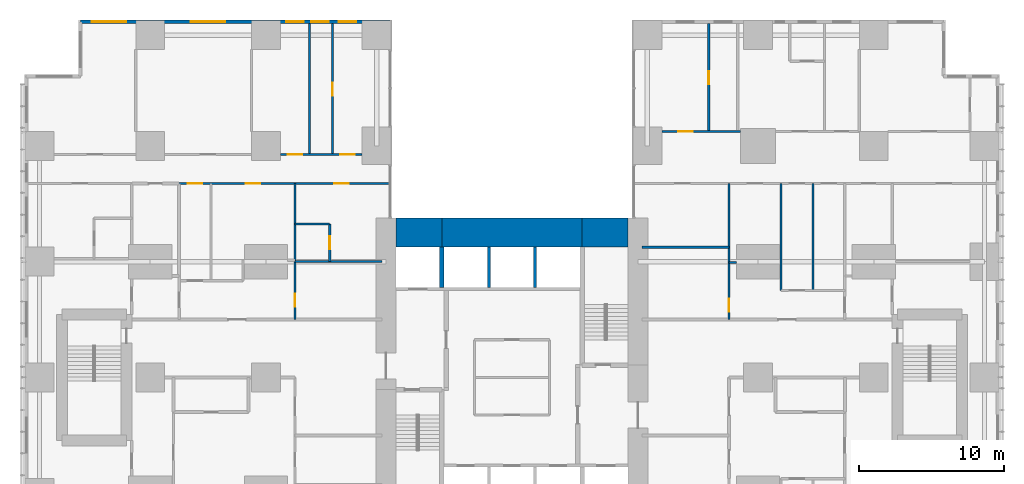
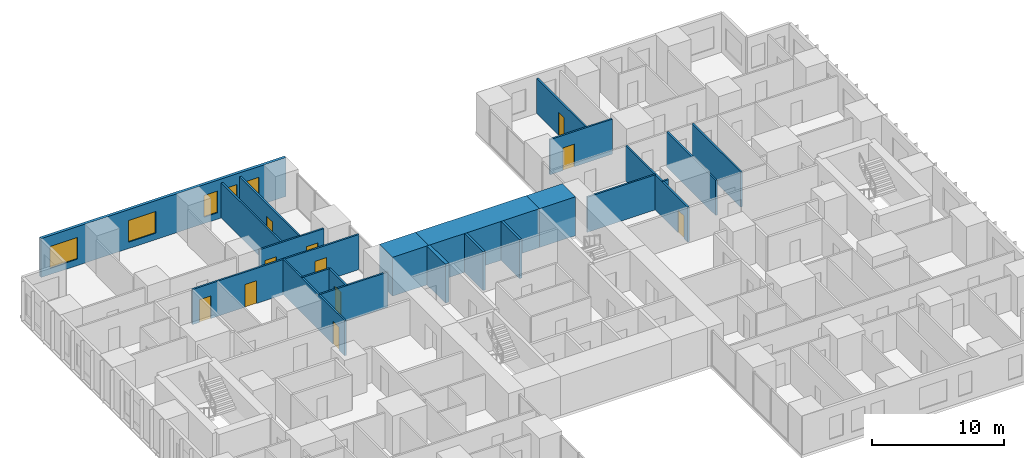
# One storey, part 17 of 20: 22 walls, 11 doors, 5 windows, 16 openings.
"""IFC4 building model written with IfcOpenShell, lengths in metres."""

from ifc_helpers import new_model, si_unit, direction, frame, frame_2d, origin, place, context, subcontext, project, spatial, rectangle, extrude, material, layer, layer_set, type_object, element, fill, save


model = new_model("IFC4")

# Units and contexts
model_context = context("Model", 3, precision=1e-05, world=origin(), true_north=direction((0.0, 1.0)))
body_context = subcontext(model_context, "Body", "Model", "MODEL_VIEW")
ifc_project = project(units=[si_unit("LENGTHUNIT", "METRE"), si_unit("AREAUNIT", "SQUARE_METRE"), si_unit("VOLUMEUNIT", "CUBIC_METRE"), si_unit("PLANEANGLEUNIT", "RADIAN"), si_unit("MASSUNIT", "GRAM", prefix="KILO")], contexts=[model_context])

# Site, building, storey
site_placement = place(None, origin())
site = spatial("IfcSite", under=ifc_project, at=site_placement, CompositionType="ELEMENT")
building_placement = place(site_placement, origin())
building = spatial("IfcBuilding", under=site, at=building_placement, Name="Cleftline Residences", CompositionType="ELEMENT")
storey_placement = place(building_placement, frame((0.0, 0.0, 87.199951171875)))
storey = spatial("IfcBuildingStorey", under=building, at=storey_placement, Name="L22", CompositionType="ELEMENT", Elevation=87.199951171875)

# Walls
ifc_material_1 = material(Name="Concrete B70", Category="concrete")
ifc_layer_1 = layer(ifc_material_1, 2.0)
ifc_layer_set_1 = layer_set([ifc_layer_1], Name="CORE WALL 2000")
wall_type_1 = type_object("IfcWallType", Name="CORE WALL 2000", PredefinedType="SHEAR", material=ifc_layer_set_1)
wall_1_placement = place(storey_placement, frame((25.0, 34.0, 0.0), z_axis=(0.0, 0.0, 1.0), x_axis=(1.0, 0.0, 0.0)))
element("IfcWall", 1, at=wall_1_placement, inside=storey, type_object=wall_type_1, Name="Core wall N1", PredefinedType="SHEAR", context=body_context, shape_type="SweptSolid", body=[
    extrude(rectangle(XDim=3.14990234375, YDim=2.0, at=frame_2d((1.574951171875, 0.0))), origin(), (0.0, 0.0, 1.0), 3.60009765625),
])
wall_2_placement = place(storey_placement, frame((28.14990234375, 34.0, 0.0), z_axis=(0.0, 0.0, 1.0), x_axis=(1.0, 0.0, 0.0)))
element("IfcWall", 2, at=wall_2_placement, inside=storey, type_object=wall_type_1, Name="Core wall N2", PredefinedType="SHEAR", context=body_context, shape_type="SweptSolid", body=[
    extrude(rectangle(XDim=9.7001953125, YDim=2.0, at=frame_2d((4.85009765625, 0.0))), origin(), (0.0, 0.0, 1.0), 3.60009765625),
])
wall_3_placement = place(storey_placement, frame((37.85009765625, 34.0, 0.0), z_axis=(0.0, 0.0, 1.0), x_axis=(1.0, 0.0, 0.0)))
element("IfcWall", 3, at=wall_3_placement, inside=storey, type_object=wall_type_1, Name="Core wall N3", PredefinedType="SHEAR", context=body_context, shape_type="SweptSolid", body=[
    extrude(rectangle(XDim=3.14990234375, YDim=2.0, at=frame_2d((1.574951171875, 0.0))), origin(), (0.0, 0.0, 1.0), 3.60009765625),
])
ifc_material_2 = material(Name="Concrete B70", Category="concrete")
ifc_layer_2 = layer(ifc_material_2, 0.300048828125)
ifc_layer_set_2 = layer_set([ifc_layer_2], Name="CORE WALL 300")
wall_type_2 = type_object("IfcWallType", Name="CORE WALL 300", PredefinedType="SHEAR", material=ifc_layer_set_2)
wall_4_placement = place(storey_placement, frame((28.14990234375, 30.199951171875, 0.0), z_axis=(0.0, 0.0, 1.0), x_axis=(0.0, 1.0, 0.0)))
element("IfcWall", 4, at=wall_4_placement, inside=storey, type_object=wall_type_2, Name="Lift shaft wall", PredefinedType="SHEAR", context=body_context, shape_type="SweptSolid", body=[
    extrude(rectangle(XDim=2.800048828125, YDim=0.300048828125, at=frame_2d((1.39990234375, 0.0))), origin(), (0.0, 0.0, 1.0), 3.60009765625),
])

# Wall, openings, windows
ifc_material_3 = material(Name="Rendered reinforced concrete blockwork", Category="masonry")
ifc_layer_3 = layer(ifc_material_3, 0.25)
ifc_layer_set_3 = layer_set([ifc_layer_3], Name="EXTERNAL WALL 250")
wall_type_3 = type_object("IfcWallType", Name="EXTERNAL WALL 250", PredefinedType="SOLIDWALL", material=ifc_layer_set_3)
wall_5_placement = place(storey_placement, frame((24.574951171875, 48.574951171875, 0.0), z_axis=(0.0, 0.0, 1.0), x_axis=(-1.0, 0.0, 0.0)))
wall_5 = element("IfcWall", 5, at=wall_5_placement, inside=storey, type_object=wall_type_3, Name="External wall", PredefinedType="SOLIDWALL", context=body_context, shape_type="SweptSolid", body=[
    extrude(rectangle(XDim=21.39990234375, YDim=0.25, at=frame_2d((10.699951171875, 0.0))), origin(), (0.0, 0.0, 1.0), 3.60009765625),
])
opening_1_placement = place(wall_5_placement, frame((2.35009765625, 0.0, 0.60009765625)))
opening_1 = element("IfcOpeningElement", 6, at=opening_1_placement, cuts=wall_5, Name="Opening W8", PredefinedType="OPENING", context=body_context, shape_type="SweptSolid", body=[
    extrude(rectangle(XDim=1.199951171875, YDim=2.0, at=frame_2d((0.60009765625, 1.0))), frame((0.0, 0.135009765625, 0.0), z_axis=(0.0, -1.0, 0.0), x_axis=(1.0, 0.0, 0.0)), (0.0, 0.0, 1.0), 0.27001953125),
])
opening_2_placement = place(wall_5_placement, frame((4.25, 0.0, 0.60009765625)))
opening_2 = element("IfcOpeningElement", 7, at=opening_2_placement, cuts=wall_5, Name="Opening W8", PredefinedType="OPENING", context=body_context, shape_type="SweptSolid", body=[
    extrude(rectangle(XDim=1.199951171875, YDim=2.0, at=frame_2d((0.60009765625, 1.0))), frame((0.0, 0.135009765625, 0.0), z_axis=(0.0, -1.0, 0.0), x_axis=(1.0, 0.0, 0.0)), (0.0, 0.0, 1.0), 0.27001953125),
])
opening_3_placement = place(wall_5_placement, frame((5.97509765625, 0.0, 0.60009765625)))
opening_3 = element("IfcOpeningElement", 8, at=opening_3_placement, cuts=wall_5, Name="Opening W8", PredefinedType="OPENING", context=body_context, shape_type="SweptSolid", body=[
    extrude(rectangle(XDim=1.199951171875, YDim=2.0, at=frame_2d((0.60009765625, 1.0))), frame((0.0, 0.135009765625, 0.0), z_axis=(0.0, -1.0, 0.0), x_axis=(1.0, 0.0, 0.0)), (0.0, 0.0, 1.0), 0.27001953125),
])
opening_4_placement = place(wall_5_placement, frame((11.375, 0.0, 0.60009765625)))
opening_4 = element("IfcOpeningElement", 9, at=opening_4_placement, cuts=wall_5, Name="Opening W6", PredefinedType="OPENING", context=body_context, shape_type="SweptSolid", body=[
    extrude(rectangle(XDim=2.39990234375, YDim=2.0, at=frame_2d((1.199951171875, 1.0))), frame((0.0, 0.135009765625, 0.0), z_axis=(0.0, -1.0, 0.0), x_axis=(1.0, 0.0, 0.0)), (0.0, 0.0, 1.0), 0.27001953125),
])
opening_5_placement = place(wall_5_placement, frame((18.22509765625, 0.0, 0.60009765625)))
opening_5 = element("IfcOpeningElement", 10, at=opening_5_placement, cuts=wall_5, Name="Opening W6", PredefinedType="OPENING", context=body_context, shape_type="SweptSolid", body=[
    extrude(rectangle(XDim=2.39990234375, YDim=2.0, at=frame_2d((1.199951171875, 1.0))), frame((0.0, 0.135009765625, 0.0), z_axis=(0.0, -1.0, 0.0), x_axis=(1.0, 0.0, 0.0)), (0.0, 0.0, 1.0), 0.27001953125),
])
ifc_material_4 = material(Name="Aluminium frame, clear double glazing", Category="aluminium")
window_type_1 = type_object("IfcWindowType", Name="WINDOW 1200X2000", PartitioningType="DOUBLE_PANEL_VERTICAL", PredefinedType="WINDOW", material=ifc_material_4)
window_1_placement = place(opening_1_placement, origin())
window_1 = element("IfcWindow", 11, at=window_1_placement, inside=storey, type_object=window_type_1, Name="Window", OverallHeight=2.0, OverallWidth=1.199951171875, PartitioningType="SINGLE_PANEL", PredefinedType="WINDOW", context=body_context, shape_type="SweptSolid", body=[
    extrude(rectangle(XDim=1.199951171875, YDim=2.0, at=frame_2d((0.60009765625, 1.0))), frame((0.0, 0.030029296875, 0.0), z_axis=(0.0, -1.0, 0.0), x_axis=(1.0, 0.0, 0.0)), (0.0, 0.0, 1.0), 0.06005859375),
])
fill(opening_1, window_1)
window_2_placement = place(opening_2_placement, origin())
window_2 = element("IfcWindow", 12, at=window_2_placement, inside=storey, type_object=window_type_1, Name="Window", OverallHeight=2.0, OverallWidth=1.199951171875, PartitioningType="SINGLE_PANEL", PredefinedType="WINDOW", context=body_context, shape_type="SweptSolid", body=[
    extrude(rectangle(XDim=1.199951171875, YDim=2.0, at=frame_2d((0.60009765625, 1.0))), frame((0.0, 0.030029296875, 0.0), z_axis=(0.0, -1.0, 0.0), x_axis=(1.0, 0.0, 0.0)), (0.0, 0.0, 1.0), 0.06005859375),
])
fill(opening_2, window_2)
window_3_placement = place(opening_3_placement, origin())
window_3 = element("IfcWindow", 13, at=window_3_placement, inside=storey, type_object=window_type_1, Name="Window", OverallHeight=2.0, OverallWidth=1.199951171875, PartitioningType="SINGLE_PANEL", PredefinedType="WINDOW", context=body_context, shape_type="SweptSolid", body=[
    extrude(rectangle(XDim=1.199951171875, YDim=2.0, at=frame_2d((0.60009765625, 1.0))), frame((0.0, 0.030029296875, 0.0), z_axis=(0.0, -1.0, 0.0), x_axis=(1.0, 0.0, 0.0)), (0.0, 0.0, 1.0), 0.06005859375),
])
fill(opening_3, window_3)
ifc_material_5 = material(Name="Aluminium frame, clear double glazing", Category="aluminium")
window_type_2 = type_object("IfcWindowType", Name="WINDOW 2400X2000", PartitioningType="DOUBLE_PANEL_VERTICAL", PredefinedType="WINDOW", material=ifc_material_5)
window_4_placement = place(opening_4_placement, origin())
window_4 = element("IfcWindow", 14, at=window_4_placement, inside=storey, type_object=window_type_2, Name="Window", OverallHeight=2.0, OverallWidth=2.39990234375, PartitioningType="SINGLE_PANEL", PredefinedType="WINDOW", context=body_context, shape_type="SweptSolid", body=[
    extrude(rectangle(XDim=2.39990234375, YDim=2.0, at=frame_2d((1.199951171875, 1.0))), frame((0.0, 0.030029296875, 0.0), z_axis=(0.0, -1.0, 0.0), x_axis=(1.0, 0.0, 0.0)), (0.0, 0.0, 1.0), 0.06005859375),
])
fill(opening_4, window_4)
window_5_placement = place(opening_5_placement, origin())
window_5 = element("IfcWindow", 15, at=window_5_placement, inside=storey, type_object=window_type_2, Name="Window", OverallHeight=2.0, OverallWidth=2.39990234375, PartitioningType="SINGLE_PANEL", PredefinedType="WINDOW", context=body_context, shape_type="SweptSolid", body=[
    extrude(rectangle(XDim=2.39990234375, YDim=2.0, at=frame_2d((1.199951171875, 1.0))), frame((0.0, 0.030029296875, 0.0), z_axis=(0.0, -1.0, 0.0), x_axis=(1.0, 0.0, 0.0)), (0.0, 0.0, 1.0), 0.06005859375),
])
fill(opening_5, window_5)

# Walls
ifc_material_6 = material(Name="Gypsum board on steel studs", Category="steel")
ifc_layer_4 = layer(ifc_material_6, 0.14990234375)
ifc_layer_set_4 = layer_set([ifc_layer_4], Name="PARTITION 150")
wall_type_4 = type_object("IfcWallType", Name="PARTITION 150", PredefinedType="PARTITIONING", material=ifc_layer_set_4)
wall_6_placement = place(storey_placement, frame((48.0, 31.949951171875, 0.0), z_axis=(0.0, 0.0, 1.0), x_axis=(1.0, 0.0, 0.0)))
element("IfcWall", 16, at=wall_6_placement, inside=storey, type_object=wall_type_4, Name="Partition", PredefinedType="PARTITIONING", context=body_context, shape_type="SweptSolid", body=[
    extrude(rectangle(XDim=0.5, YDim=0.14990234375, at=frame_2d((0.25, 0.0))), origin(), (0.0, 0.0, 1.0), 3.25),
])
for number, where, z_axis, x_axis, name in (
    (17, (18.0, 32.0, 0.0), (0.0, 0.0, 1.0), (1.0, 0.0, 0.0), "Partition"),
    (18, (42.0, 33.0, 0.0), (0.0, 0.0, 1.0), (1.0, 0.0, 0.0), "Partition"),
):
    element("IfcWall", number, at=place(storey_placement, frame(where, z_axis=z_axis, x_axis=x_axis)), inside=storey, type_object=wall_type_4, Name=name, PredefinedType="PARTITIONING", context=body_context, shape_type="SweptSolid", body=[
        extrude(rectangle(XDim=6.0, YDim=0.14990234375, at=frame_2d((3.0, 0.0))), origin(), (0.0, 0.0, 1.0), 3.25),
    ])
wall_7_placement = place(storey_placement, frame((18.0, 34.60009765625, 0.0), z_axis=(0.0, 0.0, 1.0), x_axis=(1.0, 0.0, 0.0)))
element("IfcWall", 19, at=wall_7_placement, inside=storey, type_object=wall_type_4, Name="Partition", PredefinedType="PARTITIONING", context=body_context, shape_type="SweptSolid", body=[
    extrude(rectangle(XDim=2.39990234375, YDim=0.14990234375, at=frame_2d((1.199951171875, 0.0))), origin(), (0.0, 0.0, 1.0), 3.25),
])

# Wall, openings, doors
wall_8_placement = place(storey_placement, frame((10.0, 37.39990234375, 0.0), z_axis=(0.0, 0.0, 1.0), x_axis=(1.0, 0.0, 0.0)))
wall_8 = element("IfcWall", 20, at=wall_8_placement, inside=storey, type_object=wall_type_4, Name="Partition", PredefinedType="PARTITIONING", context=body_context, shape_type="SweptSolid", body=[
    extrude(rectangle(XDim=14.56103515625, YDim=0.14990234375, at=frame_2d((7.280517578125, 0.0))), origin(), (0.0, 0.0, 1.0), 3.25),
])
opening_6_placement = place(wall_8_placement, frame((0.60009765625, 0.0, 0.0)))
opening_6 = element("IfcOpeningElement", 21, at=opening_6_placement, cuts=wall_8, Name="Opening D2F30", PredefinedType="OPENING", context=body_context, shape_type="SweptSolid", body=[
    extrude(rectangle(XDim=1.0, YDim=2.10009765625, at=frame_2d((0.5, 1.050048828125))), frame((0.0, 0.0849609375, 0.0), z_axis=(0.0, -1.0, 0.0), x_axis=(1.0, 0.0, 0.0)), (0.0, 0.0, 1.0), 0.169921875),
])
opening_7_placement = place(wall_8_placement, frame((4.60009765625, 0.0, 0.0)))
opening_7 = element("IfcOpeningElement", 22, at=opening_7_placement, cuts=wall_8, Name="Opening D2F30", PredefinedType="OPENING", context=body_context, shape_type="SweptSolid", body=[
    extrude(rectangle(XDim=1.0, YDim=2.10009765625, at=frame_2d((0.5, 1.050048828125))), frame((0.0, 0.0849609375, 0.0), z_axis=(0.0, -1.0, 0.0), x_axis=(1.0, 0.0, 0.0)), (0.0, 0.0, 1.0), 0.169921875),
])
opening_8_placement = place(wall_8_placement, frame((10.72509765625, 0.0, 0.0)))
opening_8 = element("IfcOpeningElement", 23, at=opening_8_placement, cuts=wall_8, Name="Opening D2F30", PredefinedType="OPENING", context=body_context, shape_type="SweptSolid", body=[
    extrude(rectangle(XDim=1.0, YDim=2.10009765625, at=frame_2d((0.5, 1.050048828125))), frame((0.0, 0.0849609375, 0.0), z_axis=(0.0, -1.0, 0.0), x_axis=(1.0, 0.0, 0.0)), (0.0, 0.0, 1.0), 0.169921875),
])
ifc_material_7 = material(Name="Timber veneer on solid core", Category="wood")
door_type_1 = type_object("IfcDoorType", Name="DOOR 1000X2100 EI 30", OperationType="SINGLE_SWING_LEFT", PredefinedType="DOOR", material=ifc_material_7)
door_1_placement = place(opening_6_placement, origin())
door_1 = element("IfcDoor", 24, at=door_1_placement, inside=storey, type_object=door_type_1, Name="Door to residence hall (gallery)", OperationType="SINGLE_SWING_RIGHT", OverallHeight=2.10009765625, OverallWidth=1.0, PredefinedType="DOOR", context=body_context, shape_type="SweptSolid", body=[
    extrude(rectangle(XDim=1.0, YDim=2.10009765625, at=frame_2d((0.5, 1.050048828125))), frame((0.0, 0.02490234375, 0.0), z_axis=(0.0, -1.0, 0.0), x_axis=(1.0, 0.0, 0.0)), (0.0, 0.0, 1.0), 0.050048828125),
])
fill(opening_6, door_1)
door_2_placement = place(opening_7_placement, origin())
door_2 = element("IfcDoor", 25, at=door_2_placement, inside=storey, type_object=door_type_1, Name="Door to study", OperationType="SINGLE_SWING_RIGHT", OverallHeight=2.10009765625, OverallWidth=1.0, PredefinedType="DOOR", context=body_context, shape_type="SweptSolid", body=[
    extrude(rectangle(XDim=1.0, YDim=2.10009765625, at=frame_2d((0.5, 1.050048828125))), frame((0.0, 0.02490234375, 0.0), z_axis=(0.0, -1.0, 0.0), x_axis=(1.0, 0.0, 0.0)), (0.0, 0.0, 1.0), 0.050048828125),
])
fill(opening_7, door_2)
door_3_placement = place(opening_8_placement, origin())
door_3 = element("IfcDoor", 26, at=door_3_placement, inside=storey, type_object=door_type_1, Name="Door to bedroom 2", OperationType="SINGLE_SWING_LEFT", OverallHeight=2.10009765625, OverallWidth=1.0, PredefinedType="DOOR", context=body_context, shape_type="SweptSolid", body=[
    extrude(rectangle(XDim=1.0, YDim=2.10009765625, at=frame_2d((0.5, 1.050048828125))), frame((0.0, 0.02490234375, 0.0), z_axis=(0.0, -1.0, 0.0), x_axis=(1.0, 0.0, 0.0)), (0.0, 0.0, 1.0), 0.050048828125),
])
fill(opening_8, door_3)

wall_9_placement = place(storey_placement, frame((17.0, 39.39990234375, 0.0), z_axis=(0.0, 0.0, 1.0), x_axis=(1.0, 0.0, 0.0)))
wall_9 = element("IfcWall", 27, at=wall_9_placement, inside=storey, type_object=wall_type_4, Name="Partition", PredefinedType="PARTITIONING", context=body_context, shape_type="SweptSolid", body=[
    extrude(rectangle(XDim=5.64990234375, YDim=0.14990234375, at=frame_2d((2.824951171875, 0.0))), origin(), (0.0, 0.0, 1.0), 3.25),
])
opening_9_placement = place(wall_9_placement, frame((0.5, 0.0, 0.0)))
opening_9 = element("IfcOpeningElement", 28, at=opening_9_placement, cuts=wall_9, Name="Opening D2", PredefinedType="OPENING", context=body_context, shape_type="SweptSolid", body=[
    extrude(rectangle(XDim=1.0, YDim=2.10009765625, at=frame_2d((0.5, 1.050048828125))), frame((0.0, 0.0849609375, 0.0), z_axis=(0.0, -1.0, 0.0), x_axis=(1.0, 0.0, 0.0)), (0.0, 0.0, 1.0), 0.169921875),
])
opening_10_placement = place(wall_9_placement, frame((4.125, 0.0, 0.0)))
opening_10 = element("IfcOpeningElement", 29, at=opening_10_placement, cuts=wall_9, Name="Opening D2", PredefinedType="OPENING", context=body_context, shape_type="SweptSolid", body=[
    extrude(rectangle(XDim=1.0, YDim=2.10009765625, at=frame_2d((0.5, 1.050048828125))), frame((0.0, 0.0849609375, 0.0), z_axis=(0.0, -1.0, 0.0), x_axis=(1.0, 0.0, 0.0)), (0.0, 0.0, 1.0), 0.169921875),
])
ifc_material_8 = material(Name="Timber veneer on solid core", Category="wood")
door_type_2 = type_object("IfcDoorType", Name="DOOR 1000X2100", OperationType="SINGLE_SWING_LEFT", PredefinedType="DOOR", material=ifc_material_8)
door_4_placement = place(opening_9_placement, origin())
door_4 = element("IfcDoor", 30, at=door_4_placement, inside=storey, type_object=door_type_2, Name="Door to dining room", OperationType="SINGLE_SWING_RIGHT", OverallHeight=2.10009765625, OverallWidth=1.0, PredefinedType="DOOR", context=body_context, shape_type="SweptSolid", body=[
    extrude(rectangle(XDim=1.0, YDim=2.10009765625, at=frame_2d((0.5, 1.050048828125))), frame((0.0, 0.02490234375, 0.0), z_axis=(0.0, -1.0, 0.0), x_axis=(1.0, 0.0, 0.0)), (0.0, 0.0, 1.0), 0.050048828125),
])
fill(opening_9, door_4)
door_5_placement = place(opening_10_placement, origin())
door_5 = element("IfcDoor", 31, at=door_5_placement, inside=storey, type_object=door_type_2, Name="Door to show kitchen", OperationType="SINGLE_SWING_LEFT", OverallHeight=2.10009765625, OverallWidth=1.0, PredefinedType="DOOR", context=body_context, shape_type="SweptSolid", body=[
    extrude(rectangle(XDim=1.0, YDim=2.10009765625, at=frame_2d((0.5, 1.050048828125))), frame((0.0, 0.02490234375, 0.0), z_axis=(0.0, -1.0, 0.0), x_axis=(1.0, 0.0, 0.0)), (0.0, 0.0, 1.0), 0.050048828125),
])
fill(opening_10, door_5)

# Wall, opening, door
wall_10_placement = place(storey_placement, frame((43.35009765625, 41.0, 0.0), z_axis=(0.0, 0.0, 1.0), x_axis=(1.0, 0.0, 0.0)))
wall_10 = element("IfcWall", 32, at=wall_10_placement, inside=storey, type_object=wall_type_4, Name="Partition", PredefinedType="PARTITIONING", context=body_context, shape_type="SweptSolid", body=[
    extrude(rectangle(XDim=5.449951171875, YDim=0.14990234375, at=frame_2d((2.72509765625, 0.0))), origin(), (0.0, 0.0, 1.0), 3.25),
])
opening_11_placement = place(wall_10_placement, frame((1.125, 0.0, 0.0)))
opening_11 = element("IfcOpeningElement", 33, at=opening_11_placement, cuts=wall_10, Name="Opening D2", PredefinedType="OPENING", context=body_context, shape_type="SweptSolid", body=[
    extrude(rectangle(XDim=1.0, YDim=2.10009765625, at=frame_2d((0.5, 1.050048828125))), frame((0.0, 0.0849609375, 0.0), z_axis=(0.0, -1.0, 0.0), x_axis=(1.0, 0.0, 0.0)), (0.0, 0.0, 1.0), 0.169921875),
])
door_6_placement = place(opening_11_placement, origin())
door_6 = element("IfcDoor", 34, at=door_6_placement, inside=storey, type_object=door_type_2, Name="Door to bedroom 3", OperationType="SINGLE_SWING_RIGHT", OverallHeight=2.10009765625, OverallWidth=1.0, PredefinedType="DOOR", context=body_context, shape_type="SweptSolid", body=[
    extrude(rectangle(XDim=1.0, YDim=2.10009765625, at=frame_2d((0.5, 1.050048828125))), frame((0.0, 0.02490234375, 0.0), z_axis=(0.0, -1.0, 0.0), x_axis=(1.0, 0.0, 0.0)), (0.0, 0.0, 1.0), 0.050048828125),
])
fill(opening_11, door_6)

wall_11_placement = place(storey_placement, frame((18.0, 28.0, 0.0), z_axis=(0.0, 0.0, 1.0), x_axis=(0.0, 1.0, 0.0)))
wall_11 = element("IfcWall", 35, at=wall_11_placement, inside=storey, type_object=wall_type_4, Name="Partition", PredefinedType="PARTITIONING", context=body_context, shape_type="SweptSolid", body=[
    extrude(rectangle(XDim=9.39990234375, YDim=0.14990234375, at=frame_2d((4.699951171875, 0.0))), origin(), (0.0, 0.0, 1.0), 3.25),
])
opening_12_placement = place(wall_11_placement, frame((0.887451171875, 0.0, 0.0)))
opening_12 = element("IfcOpeningElement", 36, at=opening_12_placement, cuts=wall_11, Name="Opening D1", PredefinedType="OPENING", context=body_context, shape_type="SweptSolid", body=[
    extrude(rectangle(XDim=0.89990234375, YDim=2.10009765625, at=frame_2d((0.449951171875, 1.050048828125))), frame((0.0, 0.0849609375, 0.0), z_axis=(0.0, -1.0, 0.0), x_axis=(1.0, 0.0, 0.0)), (0.0, 0.0, 1.0), 0.169921875),
])
ifc_material_9 = material(Name="Timber veneer on solid core", Category="wood")
door_type_3 = type_object("IfcDoorType", Name="DOOR 900X2100", OperationType="SINGLE_SWING_LEFT", PredefinedType="DOOR", material=ifc_material_9)
door_7_placement = place(opening_12_placement, origin())
door_7 = element("IfcDoor", 37, at=door_7_placement, inside=storey, type_object=door_type_3, Name="Door to utility room", OperationType="SINGLE_SWING_RIGHT", OverallHeight=2.10009765625, OverallWidth=0.89990234375, PredefinedType="DOOR", context=body_context, shape_type="SweptSolid", body=[
    extrude(rectangle(XDim=0.89990234375, YDim=2.10009765625, at=frame_2d((0.449951171875, 1.050048828125))), frame((0.0, 0.02490234375, 0.0), z_axis=(0.0, -1.0, 0.0), x_axis=(1.0, 0.0, 0.0)), (0.0, 0.0, 1.0), 0.050048828125),
])
fill(opening_12, door_7)

# Wall
wall_12_placement = place(storey_placement, frame((19.0, 39.39990234375, 0.0), z_axis=(0.0, 0.0, 1.0), x_axis=(0.0, 1.0, 0.0)))
element("IfcWall", 38, at=wall_12_placement, inside=storey, type_object=wall_type_4, Name="Partition", PredefinedType="PARTITIONING", context=body_context, shape_type="SweptSolid", body=[
    extrude(rectangle(XDim=9.050048828125, YDim=0.14990234375, at=frame_2d((4.52490234375, 0.0))), origin(), (0.0, 0.0, 1.0), 3.25),
])

# Wall, opening, door
wall_13_placement = place(storey_placement, frame((20.39990234375, 32.0, 0.0), z_axis=(0.0, 0.0, 1.0), x_axis=(0.0, 1.0, 0.0)))
wall_13 = element("IfcWall", 39, at=wall_13_placement, inside=storey, type_object=wall_type_4, Name="Partition", PredefinedType="PARTITIONING", context=body_context, shape_type="SweptSolid", body=[
    extrude(rectangle(XDim=2.60009765625, YDim=0.14990234375, at=frame_2d((1.300048828125, 0.0))), origin(), (0.0, 0.0, 1.0), 3.25),
])
opening_13_placement = place(wall_13_placement, frame((0.85009765625, 0.0, 0.0)))
opening_13 = element("IfcOpeningElement", 40, at=opening_13_placement, cuts=wall_13, Name="Opening D1", PredefinedType="OPENING", context=body_context, shape_type="SweptSolid", body=[
    extrude(rectangle(XDim=0.89990234375, YDim=2.10009765625, at=frame_2d((0.449951171875, 1.050048828125))), frame((0.0, 0.0849609375, 0.0), z_axis=(0.0, -1.0, 0.0), x_axis=(1.0, 0.0, 0.0)), (0.0, 0.0, 1.0), 0.169921875),
])
door_8_placement = place(opening_13_placement, origin())
door_8 = element("IfcDoor", 41, at=door_8_placement, inside=storey, type_object=door_type_3, Name="Door to en-suite bathroom 2", OperationType="SINGLE_SWING_LEFT", OverallHeight=2.10009765625, OverallWidth=0.89990234375, PredefinedType="DOOR", context=body_context, shape_type="SweptSolid", body=[
    extrude(rectangle(XDim=0.89990234375, YDim=2.10009765625, at=frame_2d((0.449951171875, 1.050048828125))), frame((0.0, 0.02490234375, 0.0), z_axis=(0.0, -1.0, 0.0), x_axis=(1.0, 0.0, 0.0)), (0.0, 0.0, 1.0), 0.050048828125),
])
fill(opening_13, door_8)

wall_14_placement = place(storey_placement, frame((20.60009765625, 39.39990234375, 0.0), z_axis=(0.0, 0.0, 1.0), x_axis=(0.0, 1.0, 0.0)))
wall_14 = element("IfcWall", 42, at=wall_14_placement, inside=storey, type_object=wall_type_4, Name="Partition", PredefinedType="PARTITIONING", context=body_context, shape_type="SweptSolid", body=[
    extrude(rectangle(XDim=9.050048828125, YDim=0.14990234375, at=frame_2d((4.52490234375, 0.0))), origin(), (0.0, 0.0, 1.0), 3.25),
])
opening_14_placement = place(wall_14_placement, frame((4.074951171875, 0.0, 0.0)))
opening_14 = element("IfcOpeningElement", 43, at=opening_14_placement, cuts=wall_14, Name="Opening D1", PredefinedType="OPENING", context=body_context, shape_type="SweptSolid", body=[
    extrude(rectangle(XDim=0.89990234375, YDim=2.10009765625, at=frame_2d((0.449951171875, 1.050048828125))), frame((0.0, 0.0849609375, 0.0), z_axis=(0.0, -1.0, 0.0), x_axis=(1.0, 0.0, 0.0)), (0.0, 0.0, 1.0), 0.169921875),
])
door_9_placement = place(opening_14_placement, origin())
door_9 = element("IfcDoor", 44, at=door_9_placement, inside=storey, type_object=door_type_3, Name="Door to kitchen store", OperationType="SINGLE_SWING_LEFT", OverallHeight=2.10009765625, OverallWidth=0.89990234375, PredefinedType="DOOR", context=body_context, shape_type="SweptSolid", body=[
    extrude(rectangle(XDim=0.89990234375, YDim=2.10009765625, at=frame_2d((0.449951171875, 1.050048828125))), frame((0.0, 0.02490234375, 0.0), z_axis=(0.0, -1.0, 0.0), x_axis=(1.0, 0.0, 0.0)), (0.0, 0.0, 1.0), 0.050048828125),
])
fill(opening_14, door_9)

wall_15_placement = place(storey_placement, frame((46.60009765625, 41.0, 0.0), z_axis=(0.0, 0.0, 1.0), x_axis=(0.0, 1.0, 0.0)))
wall_15 = element("IfcWall", 45, at=wall_15_placement, inside=storey, type_object=wall_type_4, Name="Partition", PredefinedType="PARTITIONING", context=body_context, shape_type="SweptSolid", body=[
    extrude(rectangle(XDim=7.449951171875, YDim=0.14990234375, at=frame_2d((3.72509765625, 0.0))), origin(), (0.0, 0.0, 1.0), 3.25),
])
opening_15_placement = place(wall_15_placement, frame((3.27490234375, 0.0, 0.0)))
opening_15 = element("IfcOpeningElement", 46, at=opening_15_placement, cuts=wall_15, Name="Opening D1", PredefinedType="OPENING", context=body_context, shape_type="SweptSolid", body=[
    extrude(rectangle(XDim=0.89990234375, YDim=2.10009765625, at=frame_2d((0.449951171875, 1.050048828125))), frame((0.0, 0.0849609375, 0.0), z_axis=(0.0, -1.0, 0.0), x_axis=(1.0, 0.0, 0.0)), (0.0, 0.0, 1.0), 0.169921875),
])
door_10_placement = place(opening_15_placement, origin())
door_10 = element("IfcDoor", 47, at=door_10_placement, inside=storey, type_object=door_type_3, Name="Door to en-suite bathroom 3", OperationType="SINGLE_SWING_LEFT", OverallHeight=2.10009765625, OverallWidth=0.89990234375, PredefinedType="DOOR", context=body_context, shape_type="SweptSolid", body=[
    extrude(rectangle(XDim=0.89990234375, YDim=2.10009765625, at=frame_2d((0.449951171875, 1.050048828125))), frame((0.0, 0.02490234375, 0.0), z_axis=(0.0, -1.0, 0.0), x_axis=(1.0, 0.0, 0.0)), (0.0, 0.0, 1.0), 0.050048828125),
])
fill(opening_15, door_10)

wall_16_placement = place(storey_placement, frame((48.0, 28.0, 0.0), z_axis=(0.0, 0.0, 1.0), x_axis=(0.0, 1.0, 0.0)))
wall_16 = element("IfcWall", 48, at=wall_16_placement, inside=storey, type_object=wall_type_4, Name="Partition", PredefinedType="PARTITIONING", context=body_context, shape_type="SweptSolid", body=[
    extrude(rectangle(XDim=9.39990234375, YDim=0.14990234375, at=frame_2d((4.699951171875, 0.0))), origin(), (0.0, 0.0, 1.0), 3.25),
])
opening_16_placement = place(wall_16_placement, frame((0.550048828125, 0.0, 0.0)))
opening_16 = element("IfcOpeningElement", 49, at=opening_16_placement, cuts=wall_16, Name="Opening D1", PredefinedType="OPENING", context=body_context, shape_type="SweptSolid", body=[
    extrude(rectangle(XDim=0.89990234375, YDim=2.10009765625, at=frame_2d((0.449951171875, 1.050048828125))), frame((0.0, 0.0849609375, 0.0), z_axis=(0.0, -1.0, 0.0), x_axis=(1.0, 0.0, 0.0)), (0.0, 0.0, 1.0), 0.169921875),
])
door_11_placement = place(opening_16_placement, origin())
door_11 = element("IfcDoor", 50, at=door_11_placement, inside=storey, type_object=door_type_3, Name="Door to laundry", OperationType="SINGLE_SWING_RIGHT", OverallHeight=2.10009765625, OverallWidth=0.89990234375, PredefinedType="DOOR", context=body_context, shape_type="SweptSolid", body=[
    extrude(rectangle(XDim=0.89990234375, YDim=2.10009765625, at=frame_2d((0.449951171875, 1.050048828125))), frame((0.0, 0.02490234375, 0.0), z_axis=(0.0, -1.0, 0.0), x_axis=(1.0, 0.0, 0.0)), (0.0, 0.0, 1.0), 0.050048828125),
])
fill(opening_16, door_11)

# Walls
for number, where, z_axis, x_axis, name in (
    (51, (51.60009765625, 30.0, 0.0), (0.0, 0.0, 1.0), (0.0, 1.0, 0.0), "Partition"),
    (52, (53.800048828125, 30.0, 0.0), (0.0, 0.0, 1.0), (0.0, 1.0, 0.0), "Partition"),
):
    element("IfcWall", number, at=place(storey_placement, frame(where, z_axis=z_axis, x_axis=x_axis)), inside=storey, type_object=wall_type_4, Name=name, PredefinedType="PARTITIONING", context=body_context, shape_type="SweptSolid", body=[
        extrude(rectangle(XDim=7.39990234375, YDim=0.14990234375, at=frame_2d((3.699951171875, 0.0))), origin(), (0.0, 0.0, 1.0), 3.25),
    ])
ifc_material_10 = material(Name="Concrete blockwork, fire rated", Category="masonry")
ifc_layer_5 = layer(ifc_material_10, 0.199951171875)
ifc_layer_set_5 = layer_set([ifc_layer_5], Name="SHAFT WALL 200")
wall_type_5 = type_object("IfcWallType", Name="SHAFT WALL 200", PredefinedType="PARTITIONING", material=ifc_layer_set_5)
for number, where, z_axis, x_axis, name in (
    (53, (31.39990234375, 30.199951171875, 0.0), (0.0, 0.0, 1.0), (0.0, 1.0, 0.0), "Lift shaft wall"),
    (54, (34.60009765625, 30.199951171875, 0.0), (0.0, 0.0, 1.0), (0.0, 1.0, 0.0), "Lift shaft wall"),
):
    element("IfcWall", number, at=place(storey_placement, frame(where, z_axis=z_axis, x_axis=x_axis)), inside=storey, type_object=wall_type_5, Name=name, PredefinedType="PARTITIONING", context=body_context, shape_type="SweptSolid", body=[
        extrude(rectangle(XDim=2.800048828125, YDim=0.199951171875, at=frame_2d((1.39990234375, 0.0))), origin(), (0.0, 0.0, 1.0), 3.60009765625),
    ])

save(model, "model.ifc")
